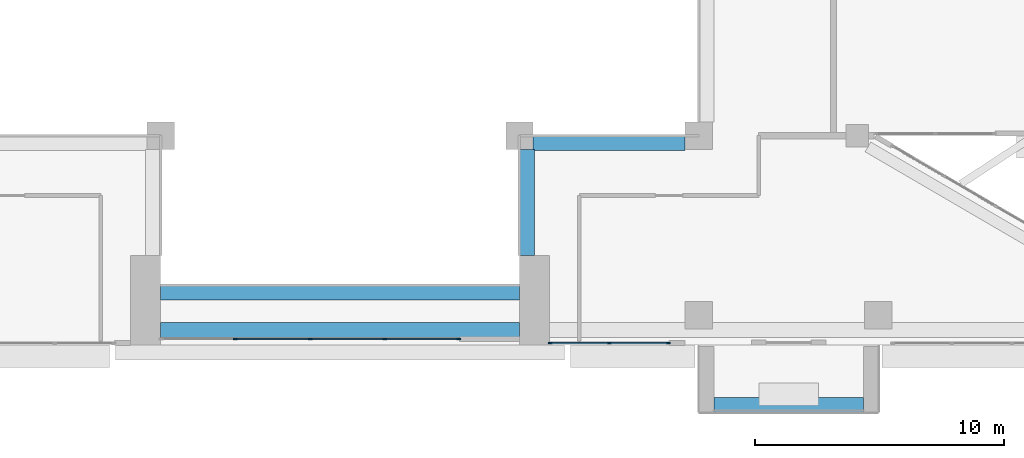
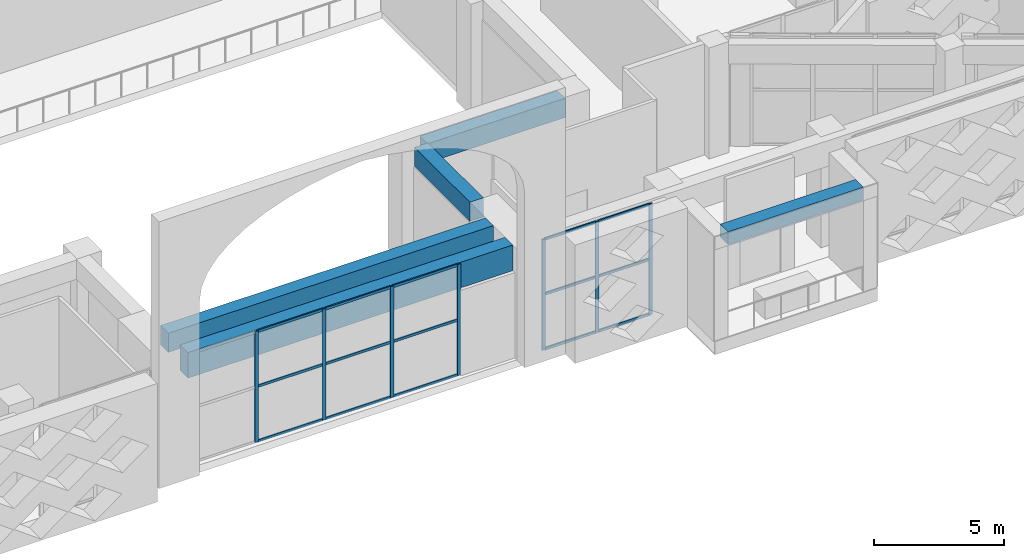
# One storey, part 5 of 25: 22 members, 5 beams, 2 elements without a shape of their own.
"""IFC4 building model written with IfcOpenShell, lengths in metres."""

from ifc_helpers import new_model, si_unit, direction, frame, origin, origin_2d, place, context, subcontext, project, spatial, rectangle, extrude, source, transform, mapped, material, layer, layer_set, material_profile, profile_set, type_object, element, aggregate, save


model = new_model("IFC4")

# Units and contexts
model_context = context("Model", 3, precision=1e-05, world=origin(), true_north=direction((0.0, 1.0)))
body_context = subcontext(model_context, "Body", "Model", "MODEL_VIEW")
ifc_project = project(units=[si_unit("LENGTHUNIT", "METRE"), si_unit("AREAUNIT", "SQUARE_METRE"), si_unit("VOLUMEUNIT", "CUBIC_METRE"), si_unit("PLANEANGLEUNIT", "RADIAN"), si_unit("MASSUNIT", "GRAM", prefix="KILO")], contexts=[model_context])

# Site, building, storey
site_placement = place(None, origin())
site = spatial("IfcSite", under=ifc_project, at=site_placement, CompositionType="ELEMENT")
building_placement = place(site_placement, origin())
building = spatial("IfcBuilding", under=site, at=building_placement, Name="Saffron Iwan Residences", CompositionType="ELEMENT")
storey_placement = place(building_placement, frame((0.0, 0.0, 137.5)))
storey = spatial("IfcBuildingStorey", under=building, at=storey_placement, Name="L36", CompositionType="ELEMENT", Elevation=137.5)

# Beams
ifc_material_1 = material(Name="Concrete C50/60", Category="concrete")
ifc_material_profile_1 = material_profile(ifc_material_1, rectangle(XDim=0.60009765625, YDim=1.199951171875, at=origin_2d()), Name="RC 600x1200")
ifc_profile_set_1 = profile_set([ifc_material_profile_1], Name="Concrete C50/60")
beam_type_1 = type_object("IfcBeamType", Name="LINTEL BEAM RC 600x1200 C50/60 TOP 5200", PredefinedType="LINTEL", material=ifc_profile_set_1)
shared_shape_1 = source(origin(), body_context, "Body", "SweptSolid", [
    extrude(rectangle(XDim=0.60009765625, YDim=1.199951171875, at=origin_2d()), origin(), (0.0, 0.0, 1.0), 14.400146484375),
])
beam_1_placement = place(storey_placement, frame((57.60009765625, 40.199951171875, 4.60009765625), z_axis=(-1.0, 0.0, 0.0), x_axis=(0.0, -1.0, 0.0)))
element("IfcBeam", 1, at=beam_1_placement, inside=storey, type_object=beam_type_1, Name="Lintel beam over the iwan", PredefinedType="LINTEL", context=body_context, shape_type="MappedRepresentation", body=[
    mapped(shared_shape_1, transform((0.0, 0.0, 0.0))),
])
ifc_material_profile_2 = material_profile(ifc_material_1, rectangle(XDim=0.60009765625, YDim=0.89990234375, at=origin_2d()), Name="RC 600x900")
ifc_profile_set_2 = profile_set([ifc_material_profile_2], Name="Concrete C50/60")
beam_type_2 = type_object("IfcBeamType", Name="BEAM RC 600x900 C50/60 TOP 5200", PredefinedType="BEAM", material=ifc_profile_set_2)
shared_shape_2 = source(origin(), body_context, "Body", "SweptSolid", [
    extrude(rectangle(XDim=0.60009765625, YDim=0.89990234375, at=origin_2d()), origin(), (0.0, 0.0, 1.0), 14.400146484375),
])
beam_2_placement = place(storey_placement, frame((57.60009765625, 41.699951171875, 4.75), z_axis=(-1.0, 0.0, 0.0), x_axis=(0.0, -1.0, 0.0)))
element("IfcBeam", 2, at=beam_2_placement, inside=storey, type_object=beam_type_2, Name="Atrium edge beam", PredefinedType="BEAM", context=body_context, shape_type="MappedRepresentation", body=[
    mapped(shared_shape_2, transform((0.0, 0.0, 0.0))),
])
shared_shape_3 = source(origin(), body_context, "Body", "SweptSolid", [
    extrude(rectangle(XDim=0.60009765625, YDim=0.89990234375, at=origin_2d()), origin(), (0.0, 0.0, 1.0), 4.25),
])
beam_3_placement = place(storey_placement, frame((57.89990234375, 47.449951171875, 4.75), z_axis=(0.0, -1.0, 0.0), x_axis=(1.0, 0.0, 0.0)))
element("IfcBeam", 3, at=beam_3_placement, inside=storey, type_object=beam_type_2, Name="Atrium edge beam", PredefinedType="BEAM", context=body_context, shape_type="MappedRepresentation", body=[
    mapped(shared_shape_3, transform((0.0, 0.0, 0.0))),
])
shared_shape_4 = source(origin(), body_context, "Body", "SweptSolid", [
    extrude(rectangle(XDim=0.60009765625, YDim=0.89990234375, at=origin_2d()), origin(), (0.0, 0.0, 1.0), 6.10009765625),
])
beam_4_placement = place(storey_placement, frame((64.25, 47.699951171875, 4.75), z_axis=(-1.0, 0.0, 0.0), x_axis=(0.0, -1.0, 0.0)))
element("IfcBeam", 4, at=beam_4_placement, inside=storey, type_object=beam_type_2, Name="Atrium edge beam", PredefinedType="BEAM", context=body_context, shape_type="MappedRepresentation", body=[
    mapped(shared_shape_4, transform((0.0, 0.0, 0.0))),
])

# Curtain wall, members
ifc_material_2 = material(Name="Clear glass, laminated double glazed", Category="glass")
ifc_layer_1 = layer(ifc_material_2, 0.199951171875)
ifc_layer_set_1 = layer_set([ifc_layer_1], Name="Clear glass, laminated double glazed")
curtain_wall_type_1 = type_object("IfcCurtainWallType", Name="CW-B IWAN PORTAL", PredefinedType="NOTDEFINED", material=ifc_layer_set_1)
curtain_wall_1_placement = place(storey_placement, origin())
curtain_wall_1 = element("IfcCurtainWall", 5, at=curtain_wall_1_placement, inside=storey, type_object=curtain_wall_type_1, Name="Iwan portal glazing L36.1", PredefinedType="NOTDEFINED")
ifc_material_3 = material(Name="Aluminium 6063-T6", Category="aluminium")
ifc_material_profile_3 = material_profile(ifc_material_3, rectangle(XDim=0.06005859375, YDim=0.1201171875, at=origin_2d()), Name="CW-B TRANSOM 60 x 120")
ifc_profile_set_3 = profile_set([ifc_material_profile_3], Name="Aluminium 6063-T6")
member_type_1 = type_object("IfcMemberType", Name="CW-B TRANSOM 60 x 120", PredefinedType="USERDEFINED", material=ifc_profile_set_3)
shared_shape_5 = source(origin(), body_context, "Body", "SweptSolid", [
    extrude(rectangle(XDim=0.06005859375, YDim=0.1201171875, at=origin_2d()), origin(), (0.0, 0.0, 1.0), 2.909912109375),
])
member_1_placement = place(storey_placement, frame((52.22998046875, 39.85009765625, 0.030029296875), z_axis=(1.0, 0.0, 0.0), x_axis=(0.0, 1.0, 0.0)))
member_1 = element("IfcMember", 6, at=member_1_placement, type_object=member_type_1, Name="CW-B transom 4.1", ObjectType="TRANSOM", PredefinedType="USERDEFINED", context=body_context, shape_type="MappedRepresentation", body=[
    mapped(shared_shape_5, transform((0.0, 0.0, 0.0))),
])
member_2_placement = place(storey_placement, frame((52.22998046875, 39.85009765625, 2.60009765625), z_axis=(1.0, 0.0, 0.0), x_axis=(0.0, 1.0, 0.0)))
member_2 = element("IfcMember", 7, at=member_2_placement, type_object=member_type_1, Name="CW-B transom 4.2", ObjectType="TRANSOM", PredefinedType="USERDEFINED", context=body_context, shape_type="MappedRepresentation", body=[
    mapped(shared_shape_5, transform((0.0, 0.0, 0.0))),
])
member_3_placement = place(storey_placement, frame((52.22998046875, 39.85009765625, 5.169921875), z_axis=(1.0, 0.0, 0.0), x_axis=(0.0, 1.0, 0.0)))
member_3 = element("IfcMember", 8, at=member_3_placement, type_object=member_type_1, Name="CW-B transom 4.3", ObjectType="TRANSOM", PredefinedType="USERDEFINED", context=body_context, shape_type="MappedRepresentation", body=[
    mapped(shared_shape_5, transform((0.0, 0.0, 0.0))),
])
shared_shape_6 = source(origin(), body_context, "Body", "SweptSolid", [
    extrude(rectangle(XDim=0.06005859375, YDim=0.1201171875, at=origin_2d()), origin(), (0.0, 0.0, 1.0), 2.93994140625),
])
member_4_placement = place(storey_placement, frame((46.22998046875, 39.85009765625, 0.030029296875), z_axis=(1.0, 0.0, 0.0), x_axis=(0.0, 1.0, 0.0)))
member_4 = element("IfcMember", 9, at=member_4_placement, type_object=member_type_1, Name="CW-B transom 2.1", ObjectType="TRANSOM", PredefinedType="USERDEFINED", context=body_context, shape_type="MappedRepresentation", body=[
    mapped(shared_shape_6, transform((0.0, 0.0, 0.0))),
])
member_5_placement = place(storey_placement, frame((46.22998046875, 39.85009765625, 2.60009765625), z_axis=(1.0, 0.0, 0.0), x_axis=(0.0, 1.0, 0.0)))
member_5 = element("IfcMember", 10, at=member_5_placement, type_object=member_type_1, Name="CW-B transom 2.2", ObjectType="TRANSOM", PredefinedType="USERDEFINED", context=body_context, shape_type="MappedRepresentation", body=[
    mapped(shared_shape_6, transform((0.0, 0.0, 0.0))),
])
member_6_placement = place(storey_placement, frame((46.22998046875, 39.85009765625, 5.169921875), z_axis=(1.0, 0.0, 0.0), x_axis=(0.0, 1.0, 0.0)))
member_6 = element("IfcMember", 11, at=member_6_placement, type_object=member_type_1, Name="CW-B transom 2.3", ObjectType="TRANSOM", PredefinedType="USERDEFINED", context=body_context, shape_type="MappedRepresentation", body=[
    mapped(shared_shape_6, transform((0.0, 0.0, 0.0))),
])
member_7_placement = place(storey_placement, frame((49.22998046875, 39.85009765625, 0.030029296875), z_axis=(1.0, 0.0, 0.0), x_axis=(0.0, 1.0, 0.0)))
member_7 = element("IfcMember", 12, at=member_7_placement, type_object=member_type_1, Name="CW-B transom 3.1", ObjectType="TRANSOM", PredefinedType="USERDEFINED", context=body_context, shape_type="MappedRepresentation", body=[
    mapped(shared_shape_6, transform((0.0, 0.0, 0.0))),
])
member_8_placement = place(storey_placement, frame((49.22998046875, 39.85009765625, 2.60009765625), z_axis=(1.0, 0.0, 0.0), x_axis=(0.0, 1.0, 0.0)))
member_8 = element("IfcMember", 13, at=member_8_placement, type_object=member_type_1, Name="CW-B transom 3.2", ObjectType="TRANSOM", PredefinedType="USERDEFINED", context=body_context, shape_type="MappedRepresentation", body=[
    mapped(shared_shape_6, transform((0.0, 0.0, 0.0))),
])
member_9_placement = place(storey_placement, frame((49.22998046875, 39.85009765625, 5.169921875), z_axis=(1.0, 0.0, 0.0), x_axis=(0.0, 1.0, 0.0)))
member_9 = element("IfcMember", 14, at=member_9_placement, type_object=member_type_1, Name="CW-B transom 3.3", ObjectType="TRANSOM", PredefinedType="USERDEFINED", context=body_context, shape_type="MappedRepresentation", body=[
    mapped(shared_shape_6, transform((0.0, 0.0, 0.0))),
])

# Beam
ifc_material_4 = material(Name="Concrete C50/60 white painted", Category="concrete")
ifc_material_profile_4 = material_profile(ifc_material_4, rectangle(XDim=0.60009765625, YDim=0.60009765625, at=origin_2d()), Name="BALCONY FASCIA BEAM 600 x 600")
ifc_profile_set_4 = profile_set([ifc_material_profile_4], Name="Concrete C50/60 white painted")
beam_type_3 = type_object("IfcBeamType", Name="BALCONY FASCIA BEAM 600 x 600", PredefinedType="BEAM", material=ifc_profile_set_4)
shared_shape_7 = source(origin(), body_context, "Body", "SweptSolid", [
    extrude(rectangle(XDim=0.60009765625, YDim=0.60009765625, at=origin_2d()), origin(), (0.0, 0.0, 1.0), 6.0),
])
beam_5_placement = place(storey_placement, frame((65.39990234375, 37.199951171875, 4.60009765625), z_axis=(1.0, 0.0, 0.0), x_axis=(0.0, 1.0, 0.0)))
element("IfcBeam", 15, at=beam_5_placement, inside=storey, type_object=beam_type_3, Name="Balcony fascia beam L36 11-1", PredefinedType="BEAM", context=body_context, shape_type="MappedRepresentation", body=[
    mapped(shared_shape_7, transform((0.0, 0.0, 0.0))),
])

# Member
ifc_material_profile_5 = material_profile(ifc_material_3, rectangle(XDim=0.06005859375, YDim=0.159912109375, at=origin_2d()), Name="CW-B MULLION 60 x 160")
ifc_profile_set_5 = profile_set([ifc_material_profile_5], Name="Aluminium 6063-T6")
member_type_2 = type_object("IfcMemberType", Name="CW-B MULLION 60 x 160", PredefinedType="MULLION", material=ifc_profile_set_5)
shared_shape_8 = source(origin(), body_context, "Body", "SweptSolid", [
    extrude(rectangle(XDim=0.06005859375, YDim=0.159912109375, at=origin_2d()), origin(), (0.0, 0.0, 1.0), 5.199951171875),
])
member_10_placement = place(storey_placement, frame((46.199951171875, 39.85009765625, 0.0), z_axis=(0.0, 0.0, 1.0), x_axis=(0.0, 1.0, 0.0)))
member_10 = element("IfcMember", 16, at=member_10_placement, type_object=member_type_2, Name="CW-B mullion 2", PredefinedType="MULLION", context=body_context, shape_type="MappedRepresentation", body=[
    mapped(shared_shape_8, transform((0.0, 0.0, 0.0))),
])

member_11_placement = place(storey_placement, frame((49.199951171875, 39.85009765625, 0.0), z_axis=(0.0, 0.0, 1.0), x_axis=(0.0, 1.0, 0.0)))
member_11 = element("IfcMember", 17, at=member_11_placement, type_object=member_type_2, Name="CW-B mullion 3", PredefinedType="MULLION", context=body_context, shape_type="MappedRepresentation", body=[
    mapped(shared_shape_8, transform((0.0, 0.0, 0.0))),
])

member_12_placement = place(storey_placement, frame((52.199951171875, 39.85009765625, 0.0), z_axis=(0.0, 0.0, 1.0), x_axis=(0.0, 1.0, 0.0)))
member_12 = element("IfcMember", 18, at=member_12_placement, type_object=member_type_2, Name="CW-B mullion 4", PredefinedType="MULLION", context=body_context, shape_type="MappedRepresentation", body=[
    mapped(shared_shape_8, transform((0.0, 0.0, 0.0))),
])

member_13_placement = place(storey_placement, frame((55.169921875, 39.85009765625, 0.0), z_axis=(0.0, 0.0, 1.0), x_axis=(0.0, 1.0, 0.0)))
member_13 = element("IfcMember", 19, at=member_13_placement, type_object=member_type_2, Name="CW-B mullion 5", PredefinedType="MULLION", context=body_context, shape_type="MappedRepresentation", body=[
    mapped(shared_shape_8, transform((0.0, 0.0, 0.0))),
])

aggregate(curtain_wall_1, [member_10, member_11, member_12, member_13, member_4, member_5, member_6, member_7, member_8, member_9, member_1, member_2, member_3])

# Curtain wall, members
ifc_layer_2 = layer(ifc_material_2, 0.14990234375)
ifc_layer_set_2 = layer_set([ifc_layer_2], Name="Clear glass, laminated double glazed")
curtain_wall_type_2 = type_object("IfcCurtainWallType", Name="CW-C SKY LOBBY GLAZING", PredefinedType="NOTDEFINED", material=ifc_layer_set_2)
curtain_wall_2_placement = place(storey_placement, origin())
curtain_wall_2 = element("IfcCurtainWall", 20, at=curtain_wall_2_placement, inside=storey, type_object=curtain_wall_type_2, Name="Glazing L36 F11.5", PredefinedType="NOTDEFINED")
ifc_material_profile_6 = material_profile(ifc_material_3, rectangle(XDim=0.06005859375, YDim=0.159912109375, at=origin_2d()), Name="CW-C MULLION 60 x 160")
ifc_profile_set_6 = profile_set([ifc_material_profile_6], Name="Aluminium 6063-T6")
member_type_3 = type_object("IfcMemberType", Name="CW-C MULLION 60 x 160", PredefinedType="MULLION", material=ifc_profile_set_6)
shared_shape_9 = source(origin(), body_context, "Body", "SweptSolid", [
    extrude(rectangle(XDim=0.06005859375, YDim=0.159912109375, at=origin_2d()), origin(), (0.0, 0.0, 1.0), 5.199951171875),
])
member_14_placement = place(storey_placement, frame((58.830078125, 39.679931640625, 0.0), z_axis=(0.0, 0.0, 1.0), x_axis=(0.0, 1.0, 0.0)))
member_14 = element("IfcMember", 21, at=member_14_placement, type_object=member_type_3, Name="CW-C mullion 1", PredefinedType="MULLION", context=body_context, shape_type="MappedRepresentation", body=[
    mapped(shared_shape_9, transform((0.0, 0.0, 0.0))),
])
member_15_placement = place(storey_placement, frame((61.199951171875, 39.679931640625, 0.0), z_axis=(0.0, 0.0, 1.0), x_axis=(0.0, 1.0, 0.0)))
member_15 = element("IfcMember", 22, at=member_15_placement, type_object=member_type_3, Name="CW-C mullion 2", PredefinedType="MULLION", context=body_context, shape_type="MappedRepresentation", body=[
    mapped(shared_shape_9, transform((0.0, 0.0, 0.0))),
])
member_16_placement = place(storey_placement, frame((63.570068359375, 39.679931640625, 0.0), z_axis=(0.0, 0.0, 1.0), x_axis=(0.0, 1.0, 0.0)))
member_16 = element("IfcMember", 23, at=member_16_placement, type_object=member_type_3, Name="CW-C mullion 3", PredefinedType="MULLION", context=body_context, shape_type="MappedRepresentation", body=[
    mapped(shared_shape_9, transform((0.0, 0.0, 0.0))),
])
ifc_material_profile_7 = material_profile(ifc_material_3, rectangle(XDim=0.06005859375, YDim=0.1201171875, at=origin_2d()), Name="CW-C TRANSOM 60 x 120")
ifc_profile_set_7 = profile_set([ifc_material_profile_7], Name="Aluminium 6063-T6")
member_type_4 = type_object("IfcMemberType", Name="CW-C TRANSOM 60 x 120", PredefinedType="USERDEFINED", material=ifc_profile_set_7)
shared_shape_10 = source(origin(), body_context, "Body", "SweptSolid", [
    extrude(rectangle(XDim=0.06005859375, YDim=0.1201171875, at=origin_2d()), origin(), (0.0, 0.0, 1.0), 2.31005859375),
])
member_17_placement = place(storey_placement, frame((61.22998046875, 39.679931640625, 0.030029296875), z_axis=(1.0, 0.0, 0.0), x_axis=(0.0, 1.0, 0.0)))
member_17 = element("IfcMember", 24, at=member_17_placement, type_object=member_type_4, Name="CW-C transom 2.1", ObjectType="TRANSOM", PredefinedType="USERDEFINED", context=body_context, shape_type="MappedRepresentation", body=[
    mapped(shared_shape_10, transform((0.0, 0.0, 0.0))),
])
member_18_placement = place(storey_placement, frame((61.22998046875, 39.679931640625, 2.60009765625), z_axis=(1.0, 0.0, 0.0), x_axis=(0.0, 1.0, 0.0)))
member_18 = element("IfcMember", 25, at=member_18_placement, type_object=member_type_4, Name="CW-C transom 2.2", ObjectType="TRANSOM", PredefinedType="USERDEFINED", context=body_context, shape_type="MappedRepresentation", body=[
    mapped(shared_shape_10, transform((0.0, 0.0, 0.0))),
])
member_19_placement = place(storey_placement, frame((61.22998046875, 39.679931640625, 5.169921875), z_axis=(1.0, 0.0, 0.0), x_axis=(0.0, 1.0, 0.0)))
member_19 = element("IfcMember", 26, at=member_19_placement, type_object=member_type_4, Name="CW-C transom 2.3", ObjectType="TRANSOM", PredefinedType="USERDEFINED", context=body_context, shape_type="MappedRepresentation", body=[
    mapped(shared_shape_10, transform((0.0, 0.0, 0.0))),
])
shared_shape_11 = source(origin(), body_context, "Body", "SweptSolid", [
    extrude(rectangle(XDim=0.06005859375, YDim=0.1201171875, at=origin_2d()), origin(), (0.0, 0.0, 1.0), 2.309814453125),
])
member_20_placement = place(storey_placement, frame((58.860107421875, 39.679931640625, 0.030029296875), z_axis=(1.0, 0.0, 0.0), x_axis=(0.0, 1.0, 0.0)))
member_20 = element("IfcMember", 27, at=member_20_placement, type_object=member_type_4, Name="CW-C transom 1.1", ObjectType="TRANSOM", PredefinedType="USERDEFINED", context=body_context, shape_type="MappedRepresentation", body=[
    mapped(shared_shape_11, transform((0.0, 0.0, 0.0))),
])
member_21_placement = place(storey_placement, frame((58.860107421875, 39.679931640625, 2.60009765625), z_axis=(1.0, 0.0, 0.0), x_axis=(0.0, 1.0, 0.0)))
member_21 = element("IfcMember", 28, at=member_21_placement, type_object=member_type_4, Name="CW-C transom 1.2", ObjectType="TRANSOM", PredefinedType="USERDEFINED", context=body_context, shape_type="MappedRepresentation", body=[
    mapped(shared_shape_11, transform((0.0, 0.0, 0.0))),
])
member_22_placement = place(storey_placement, frame((58.860107421875, 39.679931640625, 5.169921875), z_axis=(1.0, 0.0, 0.0), x_axis=(0.0, 1.0, 0.0)))
member_22 = element("IfcMember", 29, at=member_22_placement, type_object=member_type_4, Name="CW-C transom 1.3", ObjectType="TRANSOM", PredefinedType="USERDEFINED", context=body_context, shape_type="MappedRepresentation", body=[
    mapped(shared_shape_11, transform((0.0, 0.0, 0.0))),
])
aggregate(curtain_wall_2, [member_14, member_15, member_16, member_20, member_21, member_22, member_17, member_18, member_19])

save(model, "model.ifc")
